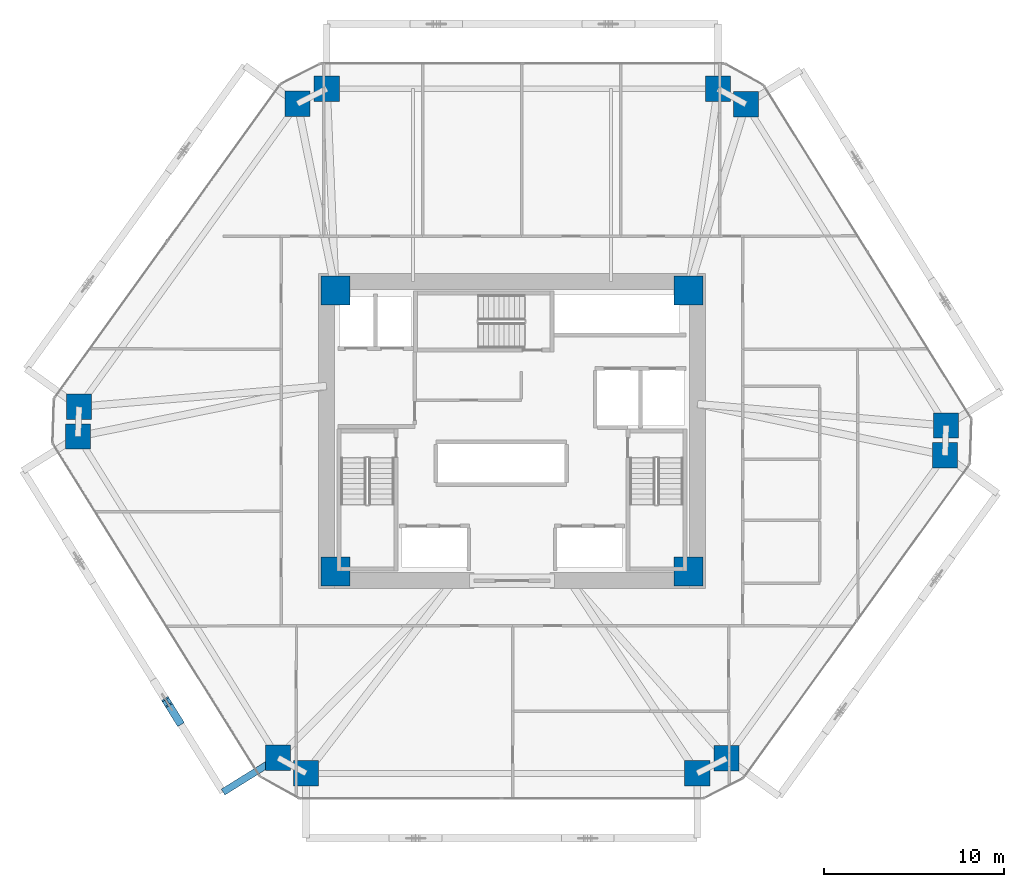
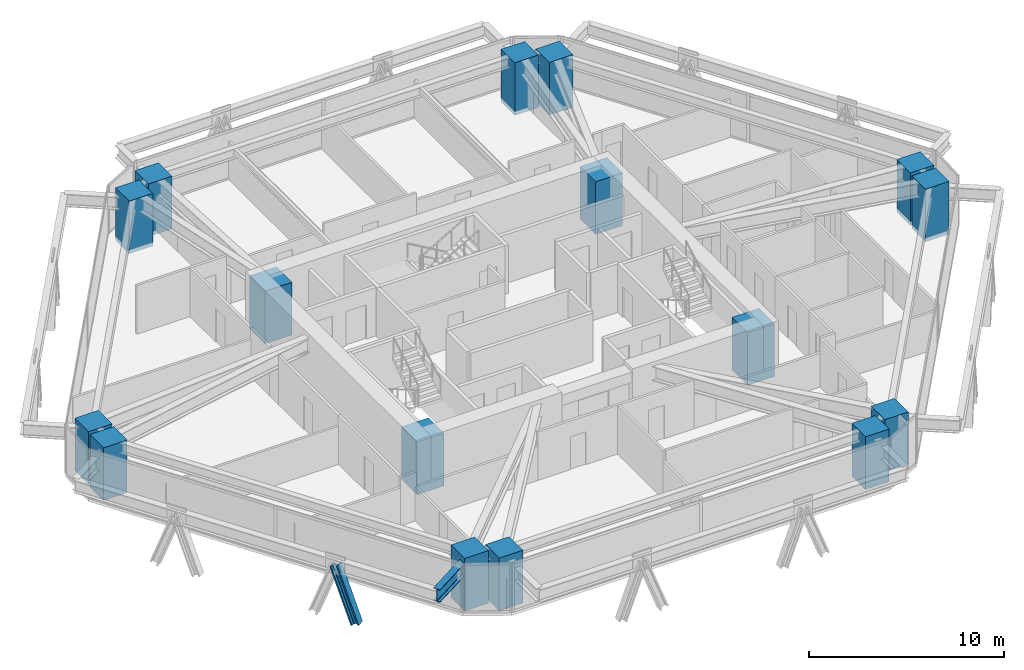
# One storey, part 1 of 17: 16 columns, 1 beam, 1 member.
"""IFC4 building model written with IfcOpenShell, lengths in metres."""

from ifc_helpers import new_model, si_unit, direction, frame, origin, origin_2d, place, context, subcontext, project, spatial, rectangle, i_section, extrude, source, transform, mapped, material, material_profile, profile_set, type_object, type_shapes, element, save


model = new_model("IFC4")

# Units and contexts
model_context = context("Model", 3, precision=1e-05, world=origin(), true_north=direction((0.0, 1.0)))
body_context = subcontext(model_context, "Body", "Model", "MODEL_VIEW")
ifc_project = project(units=[si_unit("LENGTHUNIT", "METRE"), si_unit("AREAUNIT", "SQUARE_METRE"), si_unit("VOLUMEUNIT", "CUBIC_METRE"), si_unit("PLANEANGLEUNIT", "RADIAN"), si_unit("MASSUNIT", "GRAM", prefix="KILO")], contexts=[model_context])

# Site, building, storey
site_placement = place(None, origin())
site = spatial("IfcSite", under=ifc_project, at=site_placement, CompositionType="ELEMENT")
building_placement = place(site_placement, origin())
building = spatial("IfcBuilding", under=site, at=building_placement, Name="Durnholm Broadcast Tower", CompositionType="ELEMENT")
storey_placement = place(building_placement, frame((0.0, 0.0, 72.0)))
storey = spatial("IfcBuildingStorey", under=building, at=storey_placement, Name="L18", CompositionType="ELEMENT", Elevation=72.0)

# Columns
ifc_material_1 = material(Name="Concrete C70/85", Category="concrete")
ifc_material_profile_1 = material_profile(ifc_material_1, rectangle(XDim=1.60009765625, YDim=1.60009765625, at=origin_2d()), Name="RC1600X1600")
ifc_profile_set_1 = profile_set([ifc_material_profile_1], Name="Concrete C70/85")
column_type_1 = type_object("IfcColumnType", Name="COL-CC-1600", PredefinedType="COLUMN", material=ifc_profile_set_1)
shared_shape_1 = source(origin(), body_context, "Body", "SweptSolid", [
    extrude(rectangle(XDim=1.60009765625, YDim=1.60009765625, at=origin_2d()), origin(), (0.0, 0.0, 1.0), 3.300048828125),
])
type_shapes(column_type_1, [shared_shape_1])
for number, where, z_axis, x_axis, name in (
    (1, (-9.800048828125, -7.800048828125, -0.239990234375), (0.0, 0.0, 1.0), (1.0, 0.0, 0.0), "L18 core corner column 1"),
    (2, (9.800048828125, -7.800048828125, -0.239990234375), (0.0, 0.0, 1.0), (1.0, 0.0, 0.0), "L18 core corner column 2"),
    (3, (9.800048828125, 7.800048828125, -0.239990234375), (0.0, 0.0, 1.0), (1.0, 0.0, 0.0), "L18 core corner column 3"),
    (4, (-9.800048828125, 7.800048828125, -0.239990234375), (0.0, 0.0, 1.0), (1.0, 0.0, 0.0), "L18 core corner column 4"),
):
    element("IfcColumn", number, at=place(storey_placement, frame(where, z_axis=z_axis, x_axis=x_axis)), inside=storey, type_object=column_type_1, Name=name, PredefinedType="COLUMN", context=body_context, shape_type="MappedRepresentation", body=[
        mapped(shared_shape_1, transform((0.0, 0.0, 0.0), x_axis=(1.0, 0.0, 0.0), y_axis=(0.0, 1.0, 0.0), z_axis=(0.0, 0.0, 1.0), scale=1.0)),
    ])
ifc_material_profile_2 = material_profile(ifc_material_1, rectangle(XDim=1.39990234375, YDim=1.39990234375, at=origin_2d()), Name="RC1400X1400")
ifc_profile_set_2 = profile_set([ifc_material_profile_2], Name="Concrete C70/85")
column_type_2 = type_object("IfcColumnType", Name="COL-CC-1400", PredefinedType="COLUMN", material=ifc_profile_set_2)
shared_shape_2 = source(origin(), body_context, "Body", "SweptSolid", [
    extrude(rectangle(XDim=1.39990234375, YDim=1.39990234375, at=origin_2d()), origin(), (0.0, 0.0, 1.0), 3.300048828125),
])
type_shapes(column_type_2, [shared_shape_2])
for number, where, z_axis, x_axis, name in (
    (5, (-12.982666015625, -18.138427734375, -0.239990234375), (0.0, 0.0, 1.0), (1.0, 0.0, 0.0), "L18 perimeter hexagonal tube column 01"),
    (6, (-24.0908203125, -0.2998046875, -0.239990234375), (0.0, 0.0, 1.0), (1.0, 0.0, 0.0), "L18 perimeter hexagonal tube column 02"),
    (7, (-24.034912109375, 1.347412109375, -0.239990234375), (0.0, 0.0, 1.0), (1.0, 0.0, 0.0), "L18 perimeter hexagonal tube column 03"),
    (8, (-11.907470703125, 18.16845703125, -0.239990234375), (0.0, 0.0, 1.0), (1.0, 0.0, 0.0), "L18 perimeter hexagonal tube column 04"),
    (9, (-10.28271484375, 19.0, -0.239990234375), (0.0, 0.0, 1.0), (1.0, 0.0, 0.0), "L18 perimeter hexagonal tube column 05"),
    (10, (11.43115234375, 19.0, -0.239990234375), (0.0, 0.0, 1.0), (1.0, 0.0, 0.0), "L18 perimeter hexagonal tube column 06"),
    (11, (12.982666015625, 18.138427734375, -0.239990234375), (0.0, 0.0, 1.0), (1.0, 0.0, 0.0), "L18 perimeter hexagonal tube column 07"),
    (12, (24.0908203125, 0.2998046875, -0.239990234375), (0.0, 0.0, 1.0), (1.0, 0.0, 0.0), "L18 perimeter hexagonal tube column 08"),
    (13, (24.034912109375, -1.347412109375, -0.239990234375), (0.0, 0.0, 1.0), (1.0, 0.0, 0.0), "L18 perimeter hexagonal tube column 09"),
    (14, (11.907470703125, -18.16845703125, -0.239990234375), (0.0, 0.0, 1.0), (1.0, 0.0, 0.0), "L18 perimeter hexagonal tube column 10"),
    (15, (10.28271484375, -19.0, -0.239990234375), (0.0, 0.0, 1.0), (1.0, 0.0, 0.0), "L18 perimeter hexagonal tube column 11"),
    (16, (-11.43115234375, -19.0, -0.239990234375), (0.0, 0.0, 1.0), (1.0, 0.0, 0.0), "L18 perimeter hexagonal tube column 12"),
):
    element("IfcColumn", number, at=place(storey_placement, frame(where, z_axis=z_axis, x_axis=x_axis)), inside=storey, type_object=column_type_2, Name=name, PredefinedType="COLUMN", context=body_context, shape_type="MappedRepresentation", body=[
        mapped(shared_shape_2, transform((0.0, 0.0, 0.0), x_axis=(1.0, 0.0, 0.0), y_axis=(0.0, 1.0, 0.0), z_axis=(0.0, 0.0, 1.0), scale=1.0)),
    ])

# Beam
ifc_material_2 = material(Name="Steel ASTM A992 Grade 50", Category="steel")
ifc_material_profile_3 = material_profile(ifc_material_2, i_section(OverallWidth=0.385009765625, OverallDepth=0.802978515625, WebThickness=0.023681640625, FlangeThickness=0.0419921875, FilletRadius=0.032958984375, at=origin_2d()), Name="W30X261")
ifc_profile_set_3 = profile_set([ifc_material_profile_3], Name="Steel ASTM A992 Grade 50")
beam_type = type_object("IfcBeamType", Name="BM-EXO-TIE", PredefinedType="USERDEFINED", material=ifc_profile_set_3)
shared_shape_3 = source(origin(), body_context, "Body", "SweptSolid", [
    extrude(i_section(OverallWidth=0.385009765625, OverallDepth=0.802978515625, WebThickness=0.023681640625, FlangeThickness=0.0419921875, FilletRadius=0.032958984375, at=origin_2d()), origin(), (0.0, 0.0, 1.0), 3.4560546875),
])
type_shapes(beam_type, [shared_shape_3])
beam_placement = place(storey_placement, frame((-13.10498046875, -18.214599609375, 2.30859375), z_axis=(-0.848854443891, -0.528626648105, 0.0), x_axis=(0.528626648105, -0.848854443891, 0.0)))
element("IfcBeam", 17, at=beam_placement, inside=storey, type_object=beam_type, Name="L18 exoskeleton stand-off tie bracket F6.2", ObjectType="GIRDER", PredefinedType="USERDEFINED", context=body_context, shape_type="MappedRepresentation", body=[
    mapped(shared_shape_3, transform((0.0, 0.0, 0.0), x_axis=(1.0, 0.0, 0.0), y_axis=(0.0, 1.0, 0.0), z_axis=(0.0, 0.0, 1.0), scale=1.0)),
])

# Member
ifc_material_3 = material(Name="Steel ASTM A913 Grade 65", Category="steel")
ifc_material_profile_4 = material_profile(ifc_material_3, i_section(OverallWidth=0.43212890625, OverallDepth=0.497802734375, WebThickness=0.0556640625, FlangeThickness=0.0888671875, FilletRadius=0.030517578125, at=origin_2d()), Name="W14X500")
ifc_profile_set_4 = profile_set([ifc_material_profile_4], Name="Steel ASTM A913 Grade 65")
member_type = type_object("IfcMemberType", Name="STL-DG-W14X500", PredefinedType="BRACE", material=ifc_profile_set_4)
shared_shape_4 = source(origin(), body_context, "Body", "SweptSolid", [
    extrude(i_section(OverallWidth=0.43212890625, OverallDepth=0.497802734375, WebThickness=0.0556640625, FlangeThickness=0.0888671875, FilletRadius=0.030517578125, at=origin_2d()), origin(), (0.0, 0.0, 1.0), 3.523193359375),
])
type_shapes(member_type, [shared_shape_4])
member_placement = place(storey_placement, frame((-18.496826171875, -16.09375, -0.991455078125), z_axis=(-0.185090383068, 0.297281072018, 0.936677913861), x_axis=(-0.848908635391, -0.528539618911, 0.0)))
element("IfcMember", 18, at=member_placement, inside=storey, type_object=member_type, Name="L18 stand-off diagrid brace F6.D2.2", PredefinedType="BRACE", context=body_context, shape_type="MappedRepresentation", body=[
    mapped(shared_shape_4, transform((0.0, 0.0, 0.0), x_axis=(1.0, 0.0, 0.0), y_axis=(0.0, 1.0, 0.0), z_axis=(0.0, 0.0, 1.0), scale=1.0)),
])

save(model, "model.ifc")
